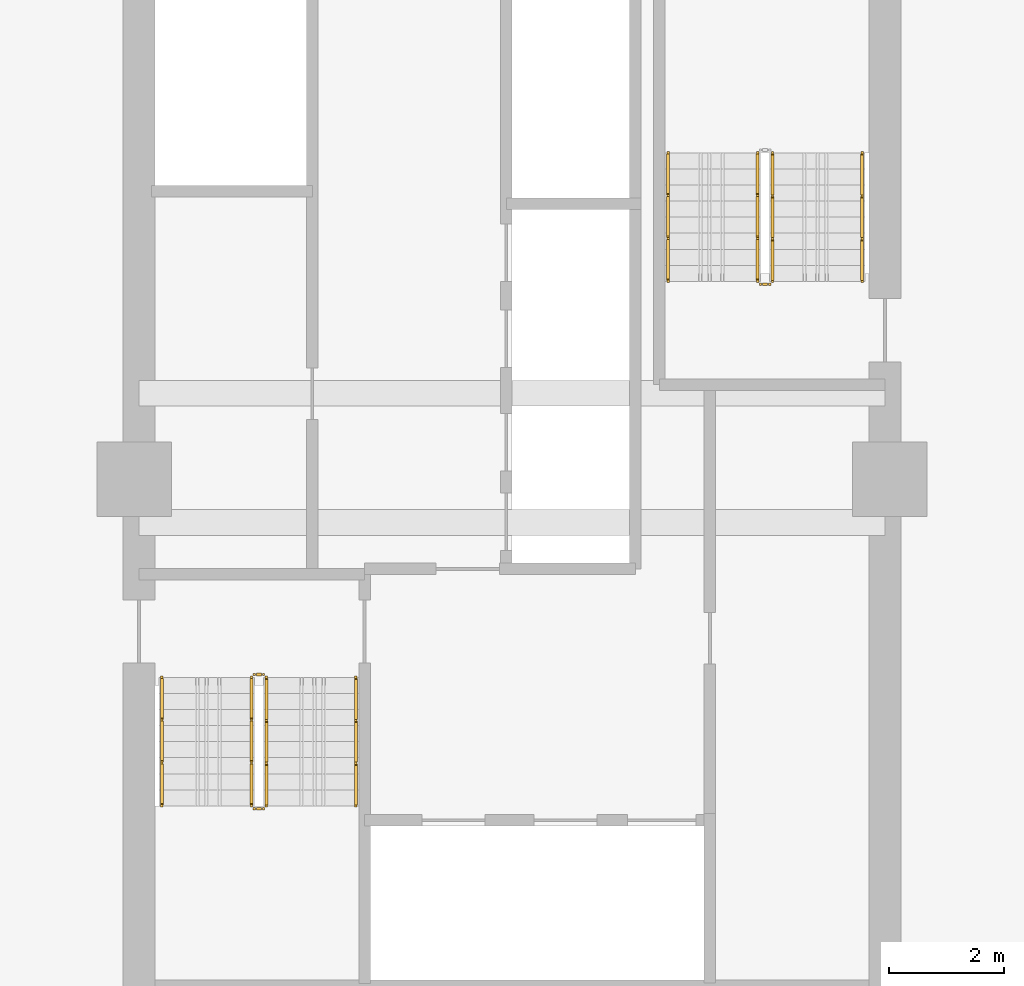
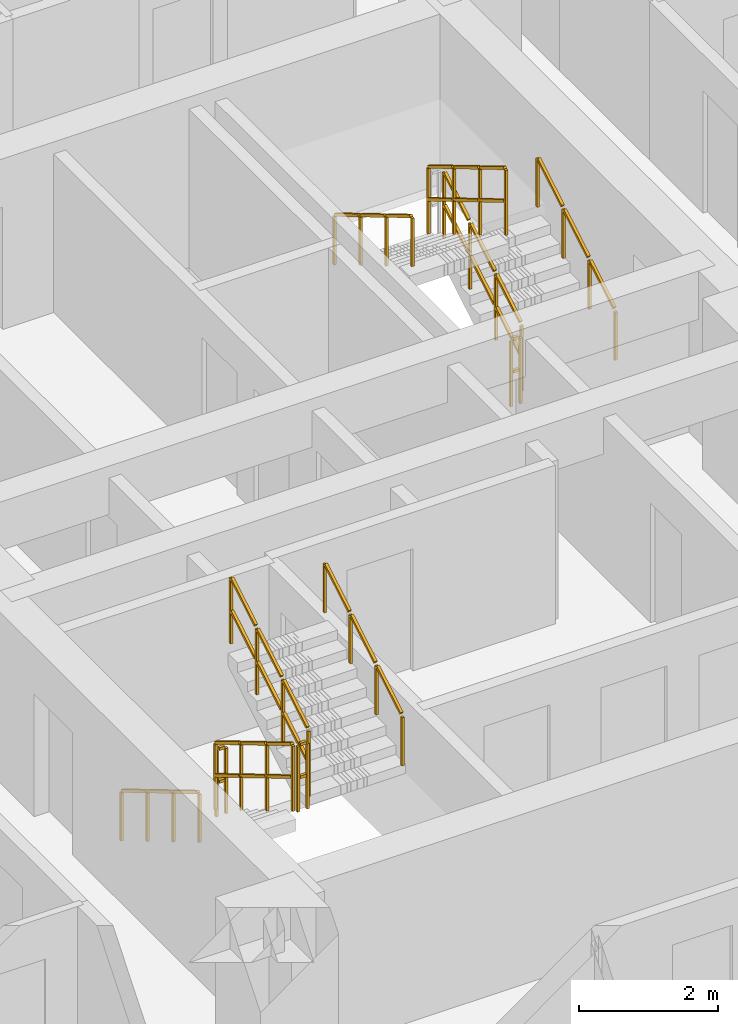
# One storey, part 24 of 26: 11 railings.
"""IFC4 building model written with IfcOpenShell, lengths in metres."""

from ifc_helpers import new_model, si_unit, direction, frame, origin, origin_2d, place, context, subcontext, project, spatial, rectangle, extrude, material, type_object, element, save


model = new_model("IFC4")

# Units and contexts
model_context = context("Model", 3, precision=1e-05, world=origin(), true_north=direction((0.0, 1.0)))
body_context = subcontext(model_context, "Body", "Model", "MODEL_VIEW")
ifc_project = project(units=[si_unit("LENGTHUNIT", "METRE"), si_unit("AREAUNIT", "SQUARE_METRE"), si_unit("VOLUMEUNIT", "CUBIC_METRE"), si_unit("PLANEANGLEUNIT", "RADIAN"), si_unit("MASSUNIT", "GRAM", prefix="KILO")], contexts=[model_context])

# Site, building, storey
site_placement = place(None, origin())
site = spatial("IfcSite", under=ifc_project, at=site_placement, CompositionType="ELEMENT")
building_placement = place(site_placement, origin())
building = spatial("IfcBuilding", under=site, at=building_placement, Name="Saelheon Loggia Tower", CompositionType="ELEMENT")
storey_placement = place(building_placement, frame((0.0, 0.0, 116.85009765625)))
storey = spatial("IfcBuildingStorey", under=building, at=storey_placement, Name="L37", CompositionType="ELEMENT", Elevation=116.85009765625)

# Railings
ifc_material_1 = material(Name="Galvanised Steel S275 Stairwell Guardrail", Category="steel")
railing_type_1 = type_object("IfcRailingType", Name="Guard_StairWell_RL_STG", PredefinedType="GUARDRAIL", material=ifc_material_1)
railing_1_placement = place(storey_placement, frame((33.4599609375, 23.550048828125, 0.16650390625)))
element("IfcRailing", 1, at=railing_1_placement, inside=storey, type_object=railing_type_1, Name="L37 ST1 stair guard 1", PredefinedType="GUARDRAIL", context=body_context, shape_type="SweptSolid", body=[
    extrude(rectangle(XDim=0.048095703125, YDim=0.048095703125, at=origin_2d()), frame((0.0, -0.028564453125, 1.19287109375), z_axis=(0.0, -0.859264461869, 0.511531606619), x_axis=(1.0, 0.0, 0.0)), (0.0, 0.0, 1.0), 0.802490234375),
    extrude(rectangle(XDim=0.048095703125, YDim=0.048095703125, at=origin_2d()), frame((0.0, -0.028564453125, 0.616943359375), z_axis=(0.0, -0.859264461869, 0.511531606619), x_axis=(1.0, 0.0, 0.0)), (0.0, 0.0, 1.0), 0.802490234375),
    extrude(rectangle(XDim=0.048095703125, YDim=0.048095703125, at=origin_2d()), frame((0.0, -0.775146484375, 1.637451171875), z_axis=(0.0, -0.859264461869, 0.511531606619), x_axis=(1.0, 0.0, 0.0)), (0.0, 0.0, 1.0), 0.802490234375),
    extrude(rectangle(XDim=0.048095703125, YDim=0.048095703125, at=origin_2d()), frame((0.0, -0.775146484375, 1.0615234375), z_axis=(0.0, -0.859264461869, 0.511531606619), x_axis=(1.0, 0.0, 0.0)), (0.0, 0.0, 1.0), 0.802490234375),
    extrude(rectangle(XDim=0.048095703125, YDim=0.048095703125, at=origin_2d()), frame((0.0, -1.52197265625, 2.081787109375), z_axis=(0.0, -0.859264461869, 0.511531606619), x_axis=(1.0, 0.0, 0.0)), (0.0, 0.0, 1.0), 0.802490234375),
    extrude(rectangle(XDim=0.048095703125, YDim=0.048095703125, at=origin_2d()), frame((0.0, -1.52197265625, 1.505859375), z_axis=(0.0, -0.859264461869, 0.511531606619), x_axis=(1.0, 0.0, 0.0)), (0.0, 0.0, 1.0), 0.802490234375),
    extrude(rectangle(XDim=0.0419921875, YDim=0.0419921875, at=origin_2d()), origin(), (0.0, 0.0, 1.0), 1.14794921875),
    extrude(rectangle(XDim=0.0419921875, YDim=0.0419921875, at=origin_2d()), frame((0.0, -0.74658203125, 0.444580078125)), (0.0, 0.0, 1.0), 1.14794921875),
    extrude(rectangle(XDim=0.0419921875, YDim=0.0419921875, at=origin_2d()), frame((0.0, -1.493408203125, 0.888916015625)), (0.0, 0.0, 1.0), 1.14794921875),
    extrude(rectangle(XDim=0.0419921875, YDim=0.0419921875, at=origin_2d()), frame((0.0, -2.239990234375, 1.33349609375)), (0.0, 0.0, 1.0), 1.14794921875),
])
railing_2_placement = place(storey_placement, frame((33.510009765625, 21.260009765625, 1.5)))
element("IfcRailing", 2, at=railing_2_placement, inside=storey, type_object=railing_type_1, Name="L37 ST1 stair guard 2", PredefinedType="GUARDRAIL", context=body_context, shape_type="SweptSolid", body=[
    extrude(rectangle(XDim=0.048095703125, YDim=0.048095703125, at=origin_2d()), frame((0.033203125, 0.0, 1.17578125), z_axis=(1.0, 0.0, 0.0), x_axis=(0.0, 1.0, 0.0)), (0.0, 0.0, 1.0), 0.093505859375),
    extrude(rectangle(XDim=0.048095703125, YDim=0.048095703125, at=origin_2d()), frame((0.033203125, 0.0, 0.60009765625), z_axis=(1.0, 0.0, 0.0), x_axis=(0.0, 1.0, 0.0)), (0.0, 0.0, 1.0), 0.093505859375),
    extrude(rectangle(XDim=0.0419921875, YDim=0.0419921875, at=origin_2d()), origin(), (0.0, 0.0, 1.0), 1.14794921875),
    extrude(rectangle(XDim=0.0419921875, YDim=0.0419921875, at=origin_2d()), frame((0.159912109375, 0.0, 0.0)), (0.0, 0.0, 1.0), 1.14794921875),
])
railing_3_placement = place(storey_placement, frame((33.719970703125, 21.31005859375, 1.66650390625)))
element("IfcRailing", 3, at=railing_3_placement, inside=storey, type_object=railing_type_1, Name="L37 ST1 stair guard 3", PredefinedType="GUARDRAIL", context=body_context, shape_type="SweptSolid", body=[
    extrude(rectangle(XDim=0.048095703125, YDim=0.048095703125, at=origin_2d()), frame((0.0, 0.028564453125, 1.19287109375), z_axis=(0.0, 0.859264461869, 0.511531606619), x_axis=(-1.0, 0.0, 0.0)), (0.0, 0.0, 1.0), 0.802490234375),
    extrude(rectangle(XDim=0.048095703125, YDim=0.048095703125, at=origin_2d()), frame((0.0, 0.028564453125, 0.616943359375), z_axis=(0.0, 0.859264461869, 0.511531606619), x_axis=(-1.0, 0.0, 0.0)), (0.0, 0.0, 1.0), 0.802490234375),
    extrude(rectangle(XDim=0.048095703125, YDim=0.048095703125, at=origin_2d()), frame((0.0, 0.775146484375, 1.637451171875), z_axis=(0.0, 0.859264461869, 0.511531606619), x_axis=(-1.0, 0.0, 0.0)), (0.0, 0.0, 1.0), 0.802490234375),
    extrude(rectangle(XDim=0.048095703125, YDim=0.048095703125, at=origin_2d()), frame((0.0, 0.775146484375, 1.0615234375), z_axis=(0.0, 0.859264461869, 0.511531606619), x_axis=(-1.0, 0.0, 0.0)), (0.0, 0.0, 1.0), 0.802490234375),
    extrude(rectangle(XDim=0.048095703125, YDim=0.048095703125, at=origin_2d()), frame((0.0, 1.52197265625, 2.081787109375), z_axis=(0.0, 0.859264461869, 0.511531606619), x_axis=(-1.0, 0.0, 0.0)), (0.0, 0.0, 1.0), 0.802490234375),
    extrude(rectangle(XDim=0.048095703125, YDim=0.048095703125, at=origin_2d()), frame((0.0, 1.52197265625, 1.505859375), z_axis=(0.0, 0.859264461869, 0.511531606619), x_axis=(-1.0, 0.0, 0.0)), (0.0, 0.0, 1.0), 0.802490234375),
    extrude(rectangle(XDim=0.0419921875, YDim=0.0419921875, at=origin_2d()), origin(), (0.0, 0.0, 1.0), 1.14794921875),
    extrude(rectangle(XDim=0.0419921875, YDim=0.0419921875, at=origin_2d()), frame((0.0, 0.74658203125, 0.444580078125)), (0.0, 0.0, 1.0), 1.14794921875),
    extrude(rectangle(XDim=0.0419921875, YDim=0.0419921875, at=origin_2d()), frame((0.0, 1.493408203125, 0.888916015625)), (0.0, 0.0, 1.0), 1.14794921875),
    extrude(rectangle(XDim=0.0419921875, YDim=0.0419921875, at=origin_2d()), frame((0.0, 2.239990234375, 1.33349609375)), (0.0, 0.0, 1.0), 1.14794921875),
])
railing_4_placement = place(storey_placement, frame((33.510009765625, 23.60009765625, 0.0)))
element("IfcRailing", 4, at=railing_4_placement, inside=storey, type_object=railing_type_1, Name="L37 ST1 stair guard 4", PredefinedType="GUARDRAIL", context=body_context, shape_type="SweptSolid", body=[
    extrude(rectangle(XDim=0.048095703125, YDim=0.048095703125, at=origin_2d()), frame((0.033203125, 0.0, 1.17578125), z_axis=(1.0, 0.0, 0.0), x_axis=(0.0, 1.0, 0.0)), (0.0, 0.0, 1.0), 0.093505859375),
    extrude(rectangle(XDim=0.048095703125, YDim=0.048095703125, at=origin_2d()), frame((0.033203125, 0.0, 0.60009765625), z_axis=(1.0, 0.0, 0.0), x_axis=(0.0, 1.0, 0.0)), (0.0, 0.0, 1.0), 0.093505859375),
    extrude(rectangle(XDim=0.0419921875, YDim=0.0419921875, at=origin_2d()), origin(), (0.0, 0.0, 1.0), 1.14794921875),
    extrude(rectangle(XDim=0.0419921875, YDim=0.0419921875, at=origin_2d()), frame((0.159912109375, 0.0, 0.0)), (0.0, 0.0, 1.0), 1.14794921875),
])
railing_5_placement = place(storey_placement, frame((42.5400390625, 30.449951171875, 0.16650390625)))
element("IfcRailing", 5, at=railing_5_placement, inside=storey, type_object=railing_type_1, Name="L37 ST2 stair guard 1", PredefinedType="GUARDRAIL", context=body_context, shape_type="SweptSolid", body=[
    extrude(rectangle(XDim=0.048095703125, YDim=0.048095703125, at=origin_2d()), frame((0.0, 0.028564453125, 1.19287109375), z_axis=(0.0, 0.859264461869, 0.511531606619), x_axis=(-1.0, 0.0, 0.0)), (0.0, 0.0, 1.0), 0.802490234375),
    extrude(rectangle(XDim=0.048095703125, YDim=0.048095703125, at=origin_2d()), frame((0.0, 0.028564453125, 0.616943359375), z_axis=(0.0, 0.859264461869, 0.511531606619), x_axis=(-1.0, 0.0, 0.0)), (0.0, 0.0, 1.0), 0.802490234375),
    extrude(rectangle(XDim=0.048095703125, YDim=0.048095703125, at=origin_2d()), frame((0.0, 0.775146484375, 1.637451171875), z_axis=(0.0, 0.859264461869, 0.511531606619), x_axis=(-1.0, 0.0, 0.0)), (0.0, 0.0, 1.0), 0.802490234375),
    extrude(rectangle(XDim=0.048095703125, YDim=0.048095703125, at=origin_2d()), frame((0.0, 0.775146484375, 1.0615234375), z_axis=(0.0, 0.859264461869, 0.511531606619), x_axis=(-1.0, 0.0, 0.0)), (0.0, 0.0, 1.0), 0.802490234375),
    extrude(rectangle(XDim=0.048095703125, YDim=0.048095703125, at=origin_2d()), frame((0.0, 1.52197265625, 2.081787109375), z_axis=(0.0, 0.859264461869, 0.511531606619), x_axis=(-1.0, 0.0, 0.0)), (0.0, 0.0, 1.0), 0.802490234375),
    extrude(rectangle(XDim=0.048095703125, YDim=0.048095703125, at=origin_2d()), frame((0.0, 1.52197265625, 1.505859375), z_axis=(0.0, 0.859264461869, 0.511531606619), x_axis=(-1.0, 0.0, 0.0)), (0.0, 0.0, 1.0), 0.802490234375),
    extrude(rectangle(XDim=0.0419921875, YDim=0.0419921875, at=origin_2d()), origin(), (0.0, 0.0, 1.0), 1.14794921875),
    extrude(rectangle(XDim=0.0419921875, YDim=0.0419921875, at=origin_2d()), frame((0.0, 0.74658203125, 0.444580078125)), (0.0, 0.0, 1.0), 1.14794921875),
    extrude(rectangle(XDim=0.0419921875, YDim=0.0419921875, at=origin_2d()), frame((0.0, 1.493408203125, 0.888916015625)), (0.0, 0.0, 1.0), 1.14794921875),
    extrude(rectangle(XDim=0.0419921875, YDim=0.0419921875, at=origin_2d()), frame((0.0, 2.239990234375, 1.33349609375)), (0.0, 0.0, 1.0), 1.14794921875),
])
railing_6_placement = place(storey_placement, frame((42.280029296875, 32.68994140625, 1.66650390625)))
element("IfcRailing", 6, at=railing_6_placement, inside=storey, type_object=railing_type_1, Name="L37 ST2 stair guard 3", PredefinedType="GUARDRAIL", context=body_context, shape_type="SweptSolid", body=[
    extrude(rectangle(XDim=0.048095703125, YDim=0.048095703125, at=origin_2d()), frame((0.0, -0.028564453125, 1.19287109375), z_axis=(0.0, -0.859264461869, 0.511531606619), x_axis=(1.0, 0.0, 0.0)), (0.0, 0.0, 1.0), 0.802490234375),
    extrude(rectangle(XDim=0.048095703125, YDim=0.048095703125, at=origin_2d()), frame((0.0, -0.028564453125, 0.616943359375), z_axis=(0.0, -0.859264461869, 0.511531606619), x_axis=(1.0, 0.0, 0.0)), (0.0, 0.0, 1.0), 0.802490234375),
    extrude(rectangle(XDim=0.048095703125, YDim=0.048095703125, at=origin_2d()), frame((0.0, -0.775146484375, 1.637451171875), z_axis=(0.0, -0.859264461869, 0.511531606619), x_axis=(1.0, 0.0, 0.0)), (0.0, 0.0, 1.0), 0.802490234375),
    extrude(rectangle(XDim=0.048095703125, YDim=0.048095703125, at=origin_2d()), frame((0.0, -0.775146484375, 1.0615234375), z_axis=(0.0, -0.859264461869, 0.511531606619), x_axis=(1.0, 0.0, 0.0)), (0.0, 0.0, 1.0), 0.802490234375),
    extrude(rectangle(XDim=0.048095703125, YDim=0.048095703125, at=origin_2d()), frame((0.0, -1.52197265625, 2.081787109375), z_axis=(0.0, -0.859264461869, 0.511531606619), x_axis=(1.0, 0.0, 0.0)), (0.0, 0.0, 1.0), 0.802490234375),
    extrude(rectangle(XDim=0.048095703125, YDim=0.048095703125, at=origin_2d()), frame((0.0, -1.52197265625, 1.505859375), z_axis=(0.0, -0.859264461869, 0.511531606619), x_axis=(1.0, 0.0, 0.0)), (0.0, 0.0, 1.0), 0.802490234375),
    extrude(rectangle(XDim=0.0419921875, YDim=0.0419921875, at=origin_2d()), origin(), (0.0, 0.0, 1.0), 1.14794921875),
    extrude(rectangle(XDim=0.0419921875, YDim=0.0419921875, at=origin_2d()), frame((0.0, -0.74658203125, 0.444580078125)), (0.0, 0.0, 1.0), 1.14794921875),
    extrude(rectangle(XDim=0.0419921875, YDim=0.0419921875, at=origin_2d()), frame((0.0, -1.493408203125, 0.888916015625)), (0.0, 0.0, 1.0), 1.14794921875),
    extrude(rectangle(XDim=0.0419921875, YDim=0.0419921875, at=origin_2d()), frame((0.0, -2.239990234375, 1.33349609375)), (0.0, 0.0, 1.0), 1.14794921875),
])
railing_7_placement = place(storey_placement, frame((42.489990234375, 30.39990234375, 0.0)))
element("IfcRailing", 7, at=railing_7_placement, inside=storey, type_object=railing_type_1, Name="L37 ST2 stair guard 4", PredefinedType="GUARDRAIL", context=body_context, shape_type="SweptSolid", body=[
    extrude(rectangle(XDim=0.048095703125, YDim=0.048095703125, at=origin_2d()), frame((-0.033203125, 0.0, 1.17578125), z_axis=(-1.0, 0.0, 0.0), x_axis=(0.0, -1.0, 0.0)), (0.0, 0.0, 1.0), 0.093505859375),
    extrude(rectangle(XDim=0.048095703125, YDim=0.048095703125, at=origin_2d()), frame((-0.033203125, 0.0, 0.60009765625), z_axis=(-1.0, 0.0, 0.0), x_axis=(0.0, -1.0, 0.0)), (0.0, 0.0, 1.0), 0.093505859375),
    extrude(rectangle(XDim=0.0419921875, YDim=0.0419921875, at=origin_2d()), origin(), (0.0, 0.0, 1.0), 1.14794921875),
    extrude(rectangle(XDim=0.0419921875, YDim=0.0419921875, at=origin_2d()), frame((-0.159912109375, 0.0, 0.0)), (0.0, 0.0, 1.0), 1.14794921875),
])
ifc_material_2 = material(Name="Stainless Steel 304 Tubular Handrail", Category="steel")
railing_type_2 = type_object("IfcRailingType", Name="Handrail_Stair_RL_HR1", PredefinedType="HANDRAIL", material=ifc_material_2)
railing_8_placement = place(storey_placement, frame((31.89990234375, 23.550048828125, 0.16650390625)))
element("IfcRailing", 8, at=railing_8_placement, inside=storey, type_object=railing_type_2, Name="L37 ST1 stair handrail 1", PredefinedType="HANDRAIL", context=body_context, shape_type="SweptSolid", body=[
    extrude(rectangle(XDim=0.048095703125, YDim=0.048095703125, at=origin_2d()), frame((0.0, -0.028564453125, 0.892822265625), z_axis=(0.0, -0.859264461869, 0.511531606619), x_axis=(1.0, 0.0, 0.0)), (0.0, 0.0, 1.0), 0.802490234375),
    extrude(rectangle(XDim=0.048095703125, YDim=0.048095703125, at=origin_2d()), frame((0.0, -0.775146484375, 1.33740234375), z_axis=(0.0, -0.859264461869, 0.511531606619), x_axis=(1.0, 0.0, 0.0)), (0.0, 0.0, 1.0), 0.802490234375),
    extrude(rectangle(XDim=0.048095703125, YDim=0.048095703125, at=origin_2d()), frame((0.0, -1.52197265625, 1.78173828125), z_axis=(0.0, -0.859264461869, 0.511531606619), x_axis=(1.0, 0.0, 0.0)), (0.0, 0.0, 1.0), 0.802490234375),
    extrude(rectangle(XDim=0.0419921875, YDim=0.0419921875, at=origin_2d()), origin(), (0.0, 0.0, 1.0), 0.847900390625),
    extrude(rectangle(XDim=0.0419921875, YDim=0.0419921875, at=origin_2d()), frame((0.0, -0.74658203125, 0.444580078125)), (0.0, 0.0, 1.0), 0.847900390625),
    extrude(rectangle(XDim=0.0419921875, YDim=0.0419921875, at=origin_2d()), frame((0.0, -1.493408203125, 0.888916015625)), (0.0, 0.0, 1.0), 0.847900390625),
    extrude(rectangle(XDim=0.0419921875, YDim=0.0419921875, at=origin_2d()), frame((0.0, -2.239990234375, 1.33349609375)), (0.0, 0.0, 1.0), 0.847900390625),
])
for number, where, name in (
    (9, (35.280029296875, 21.31005859375, 1.66650390625), "L37 ST1 stair handrail 2"),
    (10, (44.10009765625, 30.449951171875, 0.16650390625), "L37 ST2 stair handrail 1"),
):
    element("IfcRailing", number, at=place(storey_placement, frame(where)), inside=storey, type_object=railing_type_2, Name=name, PredefinedType="HANDRAIL", context=body_context, shape_type="SweptSolid", body=[
        extrude(rectangle(XDim=0.048095703125, YDim=0.048095703125, at=origin_2d()), frame((0.0, 0.028564453125, 0.892822265625), z_axis=(0.0, 0.859264461869, 0.511531606619), x_axis=(-1.0, 0.0, 0.0)), (0.0, 0.0, 1.0), 0.802490234375),
        extrude(rectangle(XDim=0.048095703125, YDim=0.048095703125, at=origin_2d()), frame((0.0, 0.775146484375, 1.33740234375), z_axis=(0.0, 0.859264461869, 0.511531606619), x_axis=(-1.0, 0.0, 0.0)), (0.0, 0.0, 1.0), 0.802490234375),
        extrude(rectangle(XDim=0.048095703125, YDim=0.048095703125, at=origin_2d()), frame((0.0, 1.52197265625, 1.78173828125), z_axis=(0.0, 0.859264461869, 0.511531606619), x_axis=(-1.0, 0.0, 0.0)), (0.0, 0.0, 1.0), 0.802490234375),
        extrude(rectangle(XDim=0.0419921875, YDim=0.0419921875, at=origin_2d()), origin(), (0.0, 0.0, 1.0), 0.847900390625),
        extrude(rectangle(XDim=0.0419921875, YDim=0.0419921875, at=origin_2d()), frame((0.0, 0.74658203125, 0.444580078125)), (0.0, 0.0, 1.0), 0.847900390625),
        extrude(rectangle(XDim=0.0419921875, YDim=0.0419921875, at=origin_2d()), frame((0.0, 1.493408203125, 0.888916015625)), (0.0, 0.0, 1.0), 0.847900390625),
        extrude(rectangle(XDim=0.0419921875, YDim=0.0419921875, at=origin_2d()), frame((0.0, 2.239990234375, 1.33349609375)), (0.0, 0.0, 1.0), 0.847900390625),
    ])
railing_9_placement = place(storey_placement, frame((40.719970703125, 32.68994140625, 1.66650390625)))
element("IfcRailing", 11, at=railing_9_placement, inside=storey, type_object=railing_type_2, Name="L37 ST2 stair handrail 2", PredefinedType="HANDRAIL", context=body_context, shape_type="SweptSolid", body=[
    extrude(rectangle(XDim=0.048095703125, YDim=0.048095703125, at=origin_2d()), frame((0.0, -0.028564453125, 0.892822265625), z_axis=(0.0, -0.859264461869, 0.511531606619), x_axis=(1.0, 0.0, 0.0)), (0.0, 0.0, 1.0), 0.802490234375),
    extrude(rectangle(XDim=0.048095703125, YDim=0.048095703125, at=origin_2d()), frame((0.0, -0.775146484375, 1.33740234375), z_axis=(0.0, -0.859264461869, 0.511531606619), x_axis=(1.0, 0.0, 0.0)), (0.0, 0.0, 1.0), 0.802490234375),
    extrude(rectangle(XDim=0.048095703125, YDim=0.048095703125, at=origin_2d()), frame((0.0, -1.52197265625, 1.78173828125), z_axis=(0.0, -0.859264461869, 0.511531606619), x_axis=(1.0, 0.0, 0.0)), (0.0, 0.0, 1.0), 0.802490234375),
    extrude(rectangle(XDim=0.0419921875, YDim=0.0419921875, at=origin_2d()), origin(), (0.0, 0.0, 1.0), 0.847900390625),
    extrude(rectangle(XDim=0.0419921875, YDim=0.0419921875, at=origin_2d()), frame((0.0, -0.74658203125, 0.444580078125)), (0.0, 0.0, 1.0), 0.847900390625),
    extrude(rectangle(XDim=0.0419921875, YDim=0.0419921875, at=origin_2d()), frame((0.0, -1.493408203125, 0.888916015625)), (0.0, 0.0, 1.0), 0.847900390625),
    extrude(rectangle(XDim=0.0419921875, YDim=0.0419921875, at=origin_2d()), frame((0.0, -2.239990234375, 1.33349609375)), (0.0, 0.0, 1.0), 0.847900390625),
])

save(model, "model.ifc")
